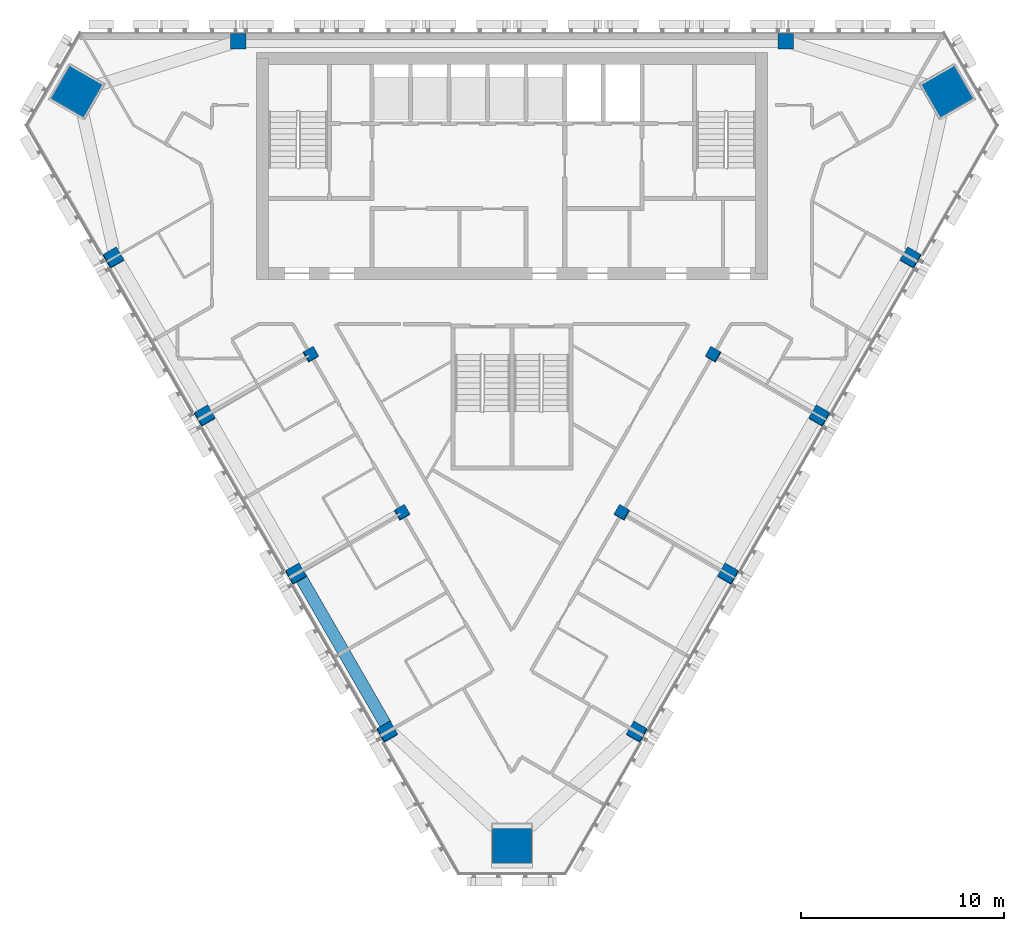
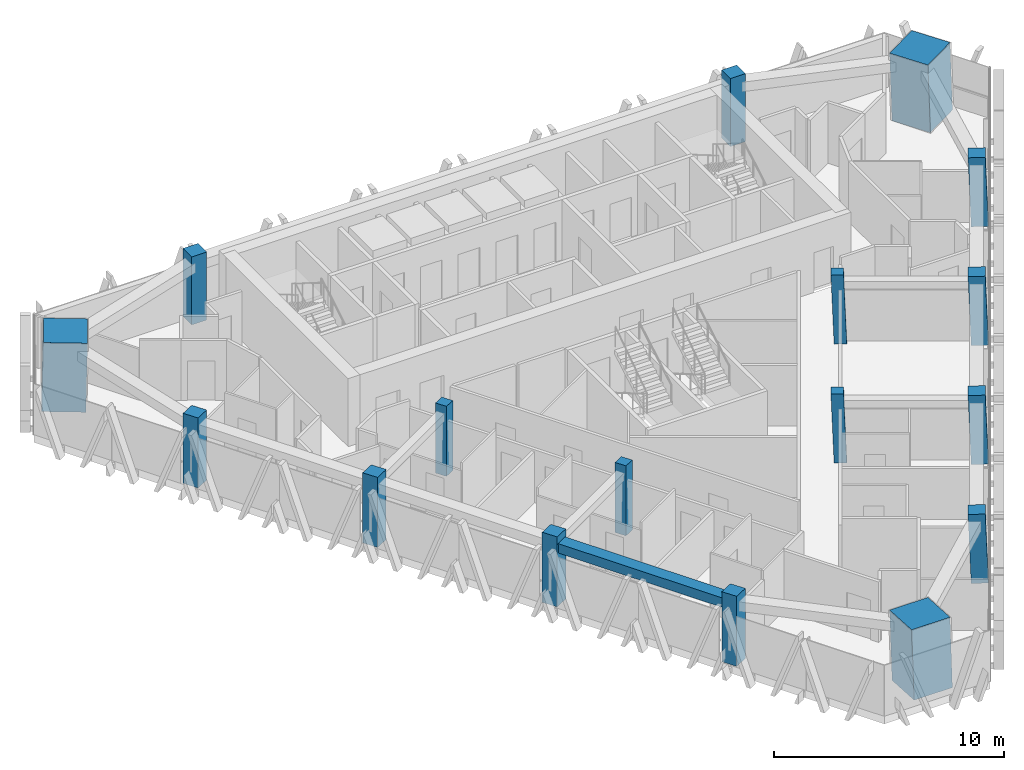
# One storey, part 1 of 15: 17 columns, 1 beam.
"""IFC4 building model written with IfcOpenShell, lengths in metres."""

from ifc_helpers import new_model, si_unit, direction, frame, origin, origin_2d, place, context, subcontext, project, spatial, rectangle, extrude, material, material_profile, profile_set, type_object, element, save


model = new_model("IFC4")

# Units and contexts
model_context = context("Model", 3, precision=1e-05, world=origin(), true_north=direction((0.0, 1.0)))
body_context = subcontext(model_context, "Body", "Model", "MODEL_VIEW")
ifc_project = project(units=[si_unit("LENGTHUNIT", "METRE"), si_unit("AREAUNIT", "SQUARE_METRE"), si_unit("VOLUMEUNIT", "CUBIC_METRE"), si_unit("PLANEANGLEUNIT", "RADIAN"), si_unit("MASSUNIT", "GRAM", prefix="KILO")], contexts=[model_context])

# Site, building, storey
site_placement = place(None, origin())
site = spatial("IfcSite", under=ifc_project, at=site_placement, CompositionType="ELEMENT")
building_placement = place(site_placement, origin())
building = spatial("IfcBuilding", under=site, at=building_placement, Name="Altiplano Prism Tower", CompositionType="ELEMENT")
storey_placement = place(building_placement, frame((0.0, 0.0, 246.39990234375)))
storey = spatial("IfcBuildingStorey", under=building, at=storey_placement, Name="L63", CompositionType="ELEMENT", Elevation=246.39990234375)

# Columns
ifc_material_1 = material(Name="Concrete C60/75", Category="concrete")
ifc_material_profile_1 = material_profile(ifc_material_1, rectangle(XDim=0.550048828125, YDim=0.550048828125, at=origin_2d()), Name="Inner column 550")
ifc_profile_set_1 = profile_set([ifc_material_profile_1], Name="Concrete C60/75")
column_type_1 = type_object("IfcColumnType", Name="Inner column 550", PredefinedType="COLUMN", material=ifc_profile_set_1)
for number, where, z_axis, x_axis, name in (
    (1, (75.067138671875, 89.090087890625, -0.0166015625), (0.022221406801, 0.038413224561, 0.999014831351), (-0.866018686298, -0.498532443075, 0.038432254464), "Inner column I12 L63"),
    (2, (79.567138671875, 81.2958984375, -0.0166015625), (0.022221406801, 0.038413224561, 0.999014831351), (-0.866020246857, -0.498529737507, 0.038432185144), "Inner column I13 L63"),
    (3, (90.432861328125, 81.2958984375, -0.0166015625), (-0.022221406801, 0.038413224561, 0.999014831351), (-0.499514905797, -0.86602108808, 0.022188598117), "Inner column I22 L63"),
    (4, (94.932861328125, 89.090087890625, -0.0166015625), (-0.022221406801, 0.038413224561, 0.999014831351), (-0.499512955973, -0.866022210505, 0.022188684646), "Inner column I23 L63"),
):
    element("IfcColumn", number, at=place(storey_placement, frame(where, z_axis=z_axis, x_axis=x_axis)), inside=storey, type_object=column_type_1, Name=name, PredefinedType="COLUMN", context=body_context, shape_type="SweptSolid", body=[
        extrude(rectangle(XDim=0.550048828125, YDim=0.550048828125, at=origin_2d()), origin(), (0.0, 0.0, 1.0), 3.603759765625),
    ])
ifc_material_2 = material(Name="Concrete C70/85", Category="concrete")
ifc_material_profile_2 = material_profile(ifc_material_2, rectangle(XDim=1.919921875, YDim=1.919921875, at=origin_2d()), Name="Mega column infill 2000")
ifc_profile_set_2 = profile_set([ifc_material_profile_2], Name="Concrete C70/85")
column_type_2 = type_object("IfcColumnType", Name="Mega column infill 2000", PredefinedType="COLUMN", material=ifc_profile_set_2)
column_1_placement = place(storey_placement, frame((63.484375, 102.051025390625, 0.0), z_axis=(0.028401796786, 0.009286506348, 0.999553449666), x_axis=(-0.866201907257, 0.499294801656, 0.019973905555)))
element("IfcColumn", 5, at=column_1_placement, inside=storey, type_object=column_type_2, Name="Mega column M0 L63", PredefinedType="COLUMN", context=body_context, shape_type="SweptSolid", body=[
    extrude(rectangle(XDim=1.919921875, YDim=1.919921875, at=origin_2d()), origin(), (0.0, 0.0, 1.0), 3.601806640625),
])
column_2_placement = place(storey_placement, frame((85.0, 64.78515625, 0.0), z_axis=(0.0, 0.058356907999, 0.998295783467), x_axis=(-1.0, 0.0, 0.0)))
element("IfcColumn", 6, at=column_2_placement, inside=storey, type_object=column_type_2, Name="Mega column M1 L63", PredefinedType="COLUMN", context=body_context, shape_type="SweptSolid", body=[
    extrude(rectangle(XDim=1.919921875, YDim=1.919921875, at=origin_2d()), origin(), (0.0, 0.0, 1.0), 3.606201171875),
])
column_3_placement = place(storey_placement, frame((106.515625, 102.051025390625, 0.0), z_axis=(-0.028401796786, 0.009286506348, 0.999553449666), x_axis=(0.498888848076, -0.866380961443, 0.022224916524)))
element("IfcColumn", 7, at=column_3_placement, inside=storey, type_object=column_type_2, Name="Mega column M2 L63", PredefinedType="COLUMN", context=body_context, shape_type="SweptSolid", body=[
    extrude(rectangle(XDim=1.919921875, YDim=1.919921875, at=origin_2d()), origin(), (0.0, 0.0, 1.0), 3.601806640625),
])
ifc_material_profile_3 = material_profile(ifc_material_1, rectangle(XDim=0.75, YDim=0.75, at=origin_2d()), Name="Perimeter column 750")
ifc_profile_set_3 = profile_set([ifc_material_profile_3], Name="Concrete C60/75")
column_type_3 = type_object("IfcColumnType", Name="Perimeter column 750", PredefinedType="COLUMN", material=ifc_profile_set_3)
for number, where, z_axis, x_axis, name in (
    (8, (98.5, 104.550048828125, 0.0), (0.0, 0.0, 1.0), (1.0, 0.0, 0.0), "Perimeter column P01 L63"),
    (9, (71.5, 104.550048828125, 0.0), (0.0, 0.0, 1.0), (1.0, 0.0, 0.0), "Perimeter column P04 L63"),
):
    element("IfcColumn", number, at=place(storey_placement, frame(where, z_axis=z_axis, x_axis=x_axis)), inside=storey, type_object=column_type_3, Name=name, PredefinedType="COLUMN", context=body_context, shape_type="SweptSolid", body=[
        extrude(rectangle(XDim=0.75, YDim=0.75, at=origin_2d()), origin(), (0.0, 0.0, 1.0), 3.60009765625),
    ])
for number, where, z_axis, x_axis, name in (
    (10, (65.32763671875, 93.859130859375, -0.022705078125), (0.02215369191, 0.038413282303, 0.999016333038), (-0.865360852025, -0.499675708088, 0.038402897403), "Perimeter column P11 L63"),
    (11, (69.82763671875, 86.06494140625, -0.022705078125), (0.02215369191, 0.038413282303, 0.999016333038), (-0.865359305368, -0.499678381385, 0.038402965896), "Perimeter column P12 L63"),
    (12, (74.32763671875, 78.2705078125, -0.022705078125), (0.022153634206, 0.038480930364, 0.999013730882), (-0.864978591359, -0.500333243499, 0.038453633642), "Perimeter column P13 L63"),
    (13, (78.82763671875, 70.476318359375, -0.022705078125), (0.022153634206, 0.038480930364, 0.999013730882), (-0.864977042662, -0.500335915613, 0.038453702226), "Perimeter column P14 L63"),
    (14, (91.17236328125, 70.476318359375, -0.022705078125), (-0.022153634206, 0.038480930364, 0.999013730882), (-0.501317534198, -0.86497852137, 0.022201069202), "Perimeter column P21 L63"),
    (15, (95.67236328125, 78.2705078125, -0.022705078125), (-0.022153634206, 0.038480930364, 0.999013730882), (-0.50131951187, -0.86497737742, 0.022200981283), "Perimeter column P22 L63"),
    (16, (100.17236328125, 86.06494140625, -0.022705078125), (-0.02215369191, 0.038413282303, 0.999016333038), (-0.500657426602, -0.865361516108, 0.022171775474), "Perimeter column P23 L63"),
    (17, (104.67236328125, 93.859130859375, -0.022705078125), (-0.02215369191, 0.038413282303, 0.999016333038), (-0.500654738192, -0.865363068433, 0.022171894779), "Perimeter column P24 L63"),
):
    element("IfcColumn", number, at=place(storey_placement, frame(where, z_axis=z_axis, x_axis=x_axis)), inside=storey, type_object=column_type_3, Name=name, PredefinedType="COLUMN", context=body_context, shape_type="SweptSolid", body=[
        extrude(rectangle(XDim=0.75, YDim=0.75, at=origin_2d()), origin(), (0.0, 0.0, 1.0), 3.603759765625),
    ])

# Beam
ifc_material_profile_4 = material_profile(ifc_material_1, rectangle(XDim=0.60009765625, YDim=0.5, at=origin_2d()), Name="Edge beam 600x500")
ifc_profile_set_4 = profile_set([ifc_material_profile_4], Name="Concrete C60/75")
beam_type = type_object("IfcBeamType", Name="Edge beam 600x500", PredefinedType="SPANDREL", material=ifc_profile_set_4)
beam_placement = place(storey_placement, frame((74.53564453125, 78.189208984375, 2.9501953125), z_axis=(0.49998963237, -0.866031389456, 0.0), x_axis=(0.866031389456, 0.49998963237, 0.0)))
element("IfcBeam", 18, at=beam_placement, inside=storey, type_object=beam_type, Name="Edge beam P13-P14 L64", PredefinedType="SPANDREL", context=body_context, shape_type="SweptSolid", body=[
    extrude(rectangle(XDim=0.60009765625, YDim=0.5, at=origin_2d()), origin(), (0.0, 0.0, 1.0), 8.489990234375),
])

save(model, "model.ifc")
